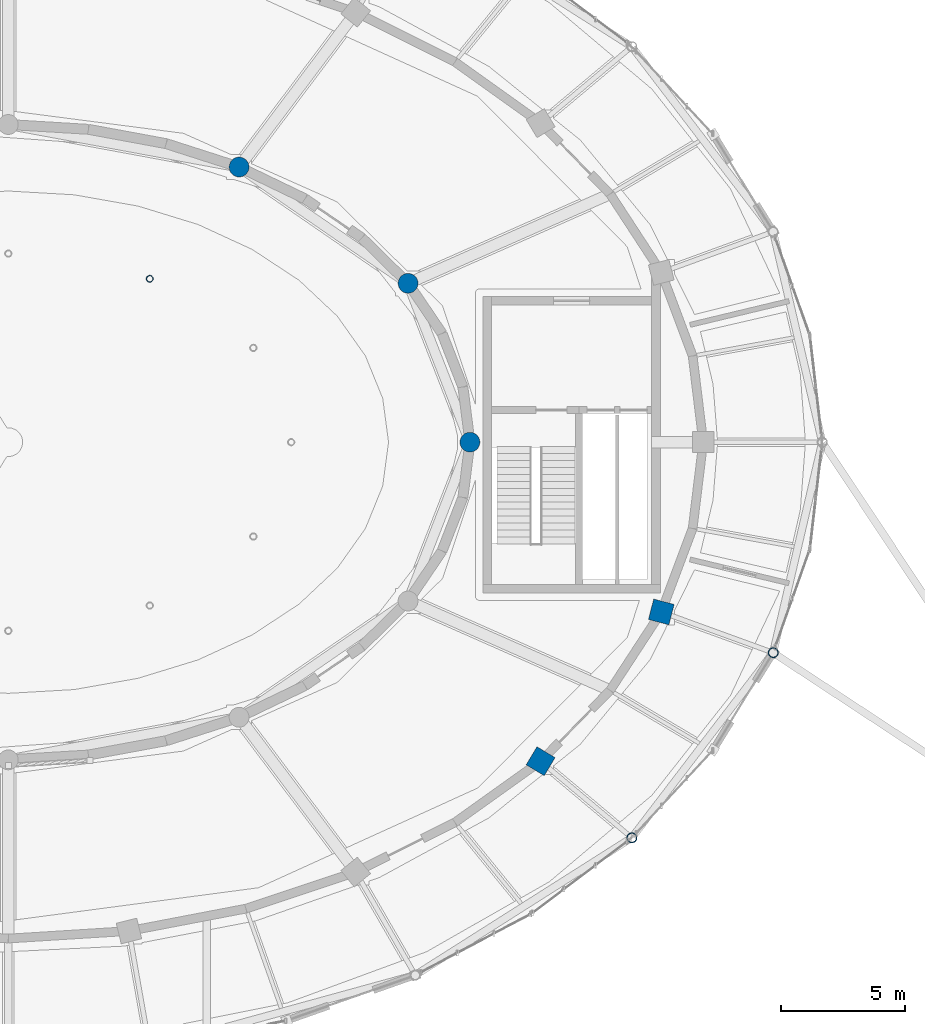
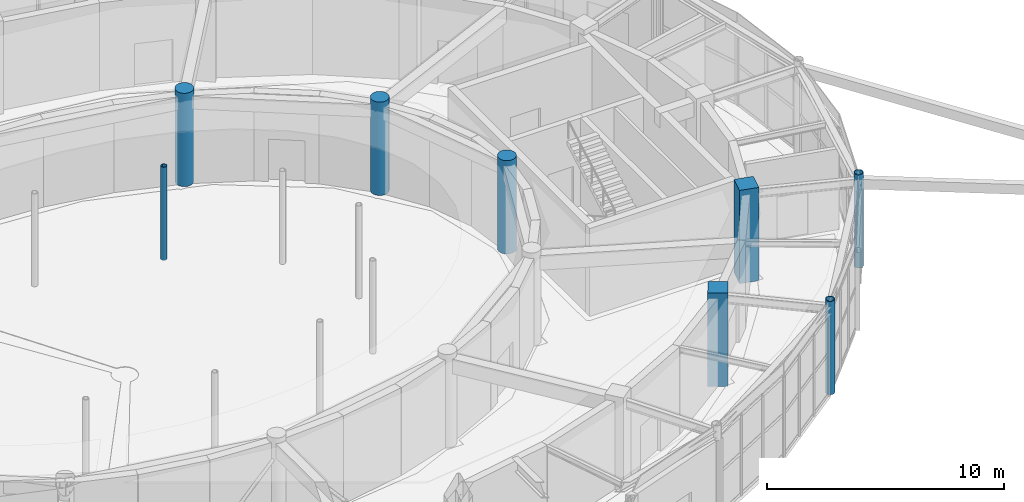
# One storey, part 9 of 108: 8 columns.
"""IFC4 building model written with IfcOpenShell, lengths in metres."""

from ifc_helpers import new_model, si_unit, direction, frame, origin, origin_2d, place, context, subcontext, project, spatial, rectangle, circle, hollow_circle, extrude, material, material_profile, profile_set, type_object, element, save


model = new_model("IFC4")

# Units and contexts
model_context = context("Model", 3, precision=1e-05, world=origin(), true_north=direction((0.0, 1.0)))
body_context = subcontext(model_context, "Body", "Model", "MODEL_VIEW")
ifc_project = project(units=[si_unit("LENGTHUNIT", "METRE"), si_unit("AREAUNIT", "SQUARE_METRE"), si_unit("VOLUMEUNIT", "CUBIC_METRE"), si_unit("PLANEANGLEUNIT", "RADIAN"), si_unit("MASSUNIT", "GRAM", prefix="KILO")], contexts=[model_context])

# Site, building, storey
site_placement = place(None, origin())
site = spatial("IfcSite", under=ifc_project, at=site_placement, CompositionType="ELEMENT")
building_placement = place(site_placement, origin())
building = spatial("IfcBuilding", under=site, at=building_placement, Name="Tarnveldt Headland Concert Hall", CompositionType="ELEMENT")
storey_placement = place(building_placement, origin())
storey = spatial("IfcBuildingStorey", under=building, at=storey_placement, Name="L00", CompositionType="ELEMENT", Elevation=0.0)

# Columns
ifc_material_1 = material(Name="Concrete C40/50", Category="concrete")
ifc_material_profile_1 = material_profile(ifc_material_1, rectangle(XDim=0.85009765625, YDim=0.85009765625, at=origin_2d()), Name="RC 850x850", Category="concrete")
ifc_profile_set_1 = profile_set([ifc_material_profile_1], Name="Concrete C40/50")
column_type_1 = type_object("IfcColumnType", Name="CC-850", PredefinedType="COLUMN", material=ifc_profile_set_1)
for number, where, z_axis, x_axis, name in (
    (1, (104.94921875, 41.644287109375, 0.0), (0.0, 0.0, 1.0), (0.85770617722, -0.514140169175, 0.0), "Column V2DC17 L00"),
    (2, (109.811279296875, 47.65966796875, 0.0), (0.0, 0.0, 1.0), (0.967841021032, -0.251562632376, 0.0), "Column V2DC18 L00"),
):
    element("IfcColumn", number, at=place(storey_placement, frame(where, z_axis=z_axis, x_axis=x_axis)), inside=storey, type_object=column_type_1, Name=name, PredefinedType="COLUMN", context=body_context, shape_type="SweptSolid", body=[
        extrude(rectangle(XDim=0.85009765625, YDim=0.85009765625, at=origin_2d()), origin(), (0.0, 0.0, 1.0), 4.800048828125),
    ])
ifc_material_profile_2 = material_profile(ifc_material_1, circle(Radius=0.39990234375, at=origin_2d()), Name="RC D800", Category="concrete")
ifc_profile_set_2 = profile_set([ifc_material_profile_2], Name="Concrete C40/50")
column_type_2 = type_object("IfcColumnType", Name="DC-800", PredefinedType="COLUMN", material=ifc_profile_set_2)
for number, where, z_axis, x_axis, name in (
    (3, (102.10009765625, 54.5, 0.0), (0.0, 0.0, 1.0), (1.0, 0.0, 0.0), "Column V2IC01 L00"),
    (4, (99.608154296875, 60.89990234375, 0.0), (0.0, 0.0, 1.0), (0.929326043111, 0.369260213935, 0.0), "Column V2IC02 L00"),
    (5, (92.800048828125, 65.585205078125, 0.0), (0.0, 0.0, 1.0), (0.642787609687, 0.766044443119, 0.0), "Column V2IC03 L00"),
):
    element("IfcColumn", number, at=place(storey_placement, frame(where, z_axis=z_axis, x_axis=x_axis)), inside=storey, type_object=column_type_2, Name=name, PredefinedType="COLUMN", context=body_context, shape_type="SweptSolid", body=[
        extrude(circle(Radius=0.39990234375, at=origin_2d()), origin(), (0.0, 0.0, 1.0), 4.800048828125),
    ])
ifc_material_2 = material(Name="Steel S355", Category="steel")
ifc_material_profile_3 = material_profile(ifc_material_2, hollow_circle(Radius=0.136474609375, WallThickness=0.01611328125, at=origin_2d()), Name="CHS 273x16", Category="steel")
ifc_profile_set_3 = profile_set([ifc_material_profile_3], Name="Steel S355")
column_type_3 = type_object("IfcColumnType", Name="SC-CHS273", PredefinedType="COLUMN", material=ifc_profile_set_3)
column_placement = place(storey_placement, frame((89.199951171875, 61.081787109375, 0.0), z_axis=(0.0, 0.0, 1.0), x_axis=(1.0, 0.0, 0.0)))
element("IfcColumn", 6, at=column_placement, inside=storey, type_object=column_type_3, Name="Tier ring column 3 L00", PredefinedType="COLUMN", context=body_context, shape_type="SweptSolid", body=[
    extrude(hollow_circle(Radius=0.136474609375, WallThickness=0.01611328125, at=origin_2d()), origin(), (0.0, 0.0, 1.0), 4.800048828125),
])
ifc_material_profile_4 = material_profile(ifc_material_2, hollow_circle(Radius=0.203125, WallThickness=0.02490234375, at=origin_2d()), Name="CHS 406.4x25", Category="steel")
ifc_profile_set_4 = profile_set([ifc_material_profile_4], Name="Steel S355")
column_type_4 = type_object("IfcColumnType", Name="SC-CHS406", PredefinedType="COLUMN", material=ifc_profile_set_4)
for number, where, z_axis, x_axis, name in (
    (7, (108.626220703125, 38.558837890625, 0.0), (0.0, 0.0, 1.0), (0.84442143206, -0.535679423796, 0.0), "Column V1C17 L00"),
    (8, (114.322021484375, 46.017822265625, 0.0), (0.0, 0.0, 1.0), (0.964141737836, -0.265387847052, 0.0), "Column V1C18 L00"),
):
    element("IfcColumn", number, at=place(storey_placement, frame(where, z_axis=z_axis, x_axis=x_axis)), inside=storey, type_object=column_type_4, Name=name, PredefinedType="COLUMN", context=body_context, shape_type="SweptSolid", body=[
        extrude(hollow_circle(Radius=0.203125, WallThickness=0.02490234375, at=origin_2d()), origin(), (0.0, 0.0, 1.0), 4.800048828125),
    ])

save(model, "model.ifc")
